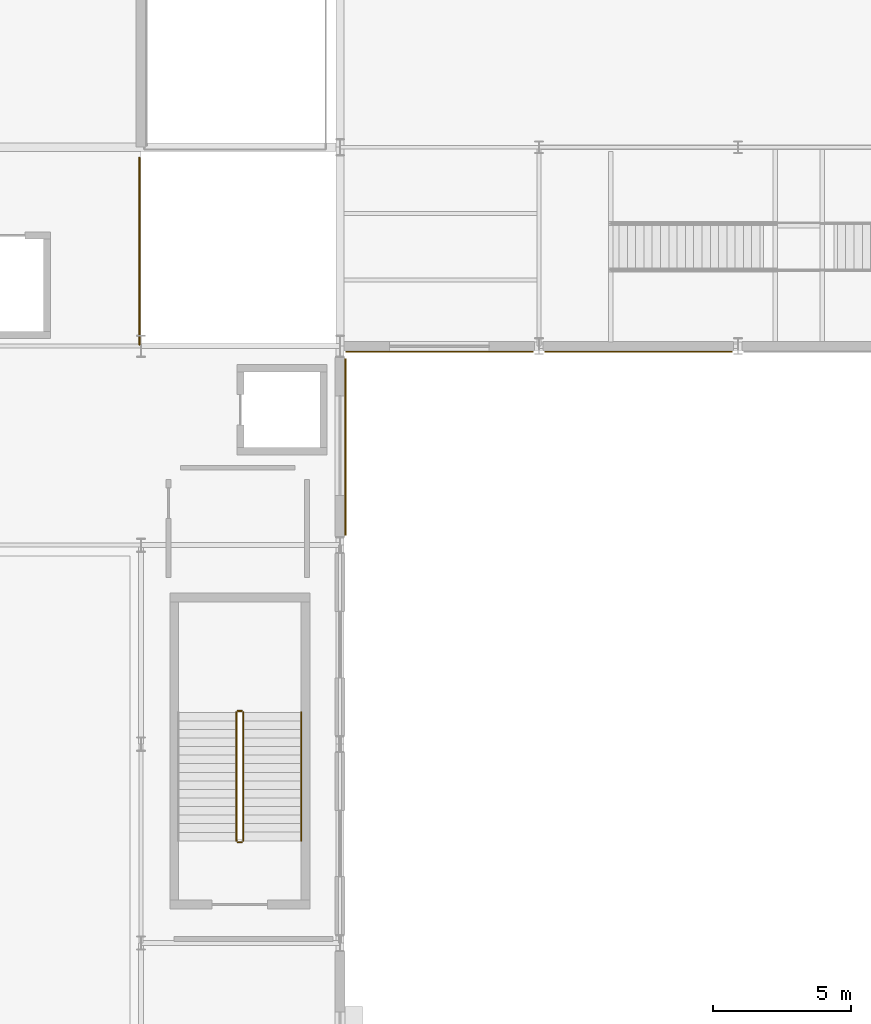
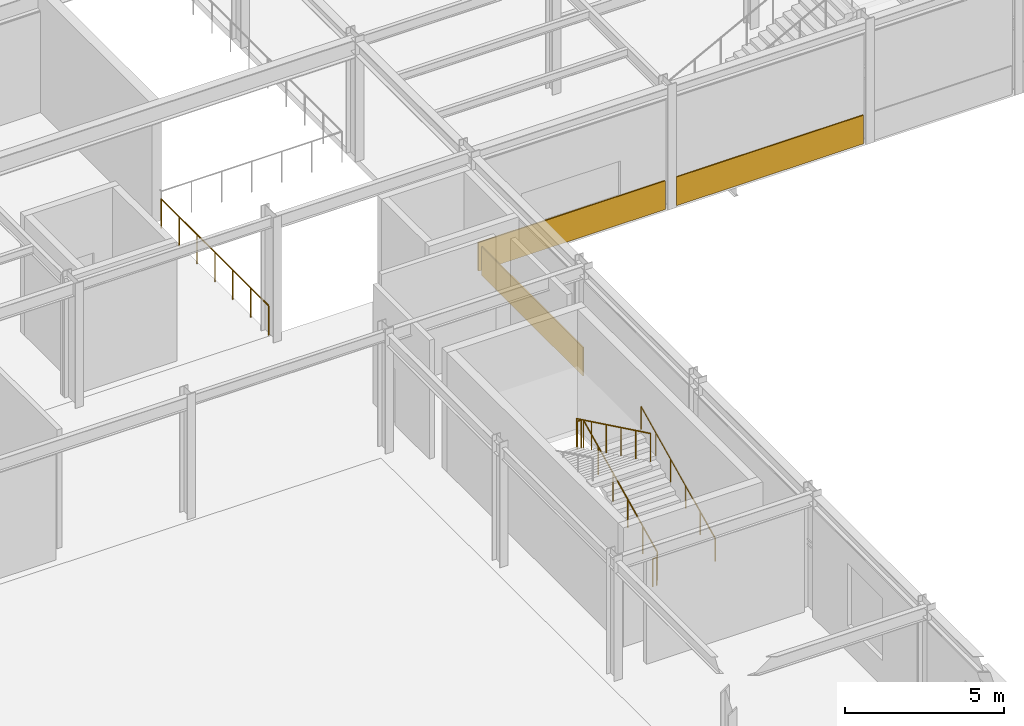
# One storey, part 79 of 83: 6 railings, 3 coverings.
"""IFC4 building model written with IfcOpenShell, lengths in metres."""

from ifc_helpers import new_model, si_unit, direction, frame, origin, origin_2d, place, context, subcontext, project, spatial, rectangle, circle, extrude, material, layer, layer_set, type_object, element, save


model = new_model("IFC4")

# Units and contexts
model_context = context("Model", 3, precision=1e-05, world=origin(), true_north=direction((0.0, 1.0)))
body_context = subcontext(model_context, "Body", "Model", "MODEL_VIEW")
ifc_project = project(units=[si_unit("LENGTHUNIT", "METRE"), si_unit("AREAUNIT", "SQUARE_METRE"), si_unit("VOLUMEUNIT", "CUBIC_METRE"), si_unit("PLANEANGLEUNIT", "RADIAN"), si_unit("MASSUNIT", "GRAM", prefix="KILO")], contexts=[model_context])

# Site, building, storey
site_placement = place(None, origin())
site = spatial("IfcSite", under=ifc_project, at=site_placement, CompositionType="ELEMENT")
building_placement = place(site_placement, origin())
building = spatial("IfcBuilding", under=site, at=building_placement, Name="Solvadek Multi-Sports Hall", CompositionType="ELEMENT")
storey_placement = place(building_placement, origin())
storey = spatial("IfcBuildingStorey", under=building, at=storey_placement, Name="L00", CompositionType="ELEMENT", Elevation=0.0)

# Coverings
ifc_material_1 = material(Name="Dressed honey-cream limestone ashlar", Category="masonry")
ifc_layer = layer(ifc_material_1, 0.044921875, Name="Dressed honey-cream limestone ashlar")
ifc_layer_set = layer_set([ifc_layer], Name="Dressed honey-cream limestone ashlar")
covering_type = type_object("IfcCoveringType", Name="ENV-COV-CLAD45", PredefinedType="CLADDING", material=ifc_layer_set)
covering_placement = place(storey_placement, frame((136.9970703125, 38.35009765625, 0.0), z_axis=(0.0, 0.0, 1.0), x_axis=(0.0, 1.0, 0.0)))
element("IfcCovering", 1, at=covering_placement, inside=storey, type_object=covering_type, Name="Deccan Granite Plinth Cladding #30", PredefinedType="CLADDING", context=body_context, shape_type="SweptSolid", body=[
    extrude(rectangle(XDim=6.39208984375, YDim=0.044921875, at=origin_2d()), origin(), (0.0, 0.0, 1.0), 1.10009765625),
])
for number, where, z_axis, x_axis, name in (
    (2, (140.39990234375, 41.802978515625, 0.0), (0.0, 0.0, 1.0), (1.0, 0.0, 0.0), "Deccan Granite Plinth Cladding #37"),
    (3, (147.60009765625, 41.802978515625, 0.0), (0.0, 0.0, 1.0), (1.0, 0.0, 0.0), "Deccan Granite Plinth Cladding #38"),
):
    element("IfcCovering", number, at=place(storey_placement, frame(where, z_axis=z_axis, x_axis=x_axis)), inside=storey, type_object=covering_type, Name=name, PredefinedType="CLADDING", context=body_context, shape_type="SweptSolid", body=[
        extrude(rectangle(XDim=6.7919921875, YDim=0.044921875, at=origin_2d()), origin(), (0.0, 0.0, 1.0), 1.10009765625),
    ])

# Railings
ifc_material_2 = material(Name="Steel E250 (250 MPa)", Category="steel")
railing_type_1 = type_object("IfcRailingType", Name="INT-RAL-GRD115", PredefinedType="BALUSTRADE", material=ifc_material_2)
railing_1_placement = place(storey_placement, frame((133.300048828125, 24.10009765625, 0.14990234375)))
element("IfcRailing", 4, at=railing_1_placement, inside=storey, type_object=railing_type_1, Name="L00 ST-05 stair guard 1", PredefinedType="BALUSTRADE", context=body_context, shape_type="SweptSolid", body=[
    extrude(circle(Radius=0.02392578125, at=origin_2d()), frame((0.0, 0.0, 1.076171875), z_axis=(0.0, 0.900155664878, 0.435568340204), x_axis=(-1.0, 0.0, 0.0)), (0.0, 0.0, 1.0), 5.165771484375),
    extrude(circle(Radius=0.02099609375, at=origin_2d()), origin(), (0.0, 0.0, 1.0), 1.052001953125),
    extrude(circle(Radius=0.02099609375, at=origin_2d()), frame((0.0, 0.929931640625, 0.449951171875)), (0.0, 0.0, 1.0), 1.052001953125),
    extrude(circle(Radius=0.02099609375, at=origin_2d()), frame((0.0, 1.85986328125, 0.89990234375)), (0.0, 0.0, 1.0), 1.052001953125),
    extrude(circle(Radius=0.02099609375, at=origin_2d()), frame((0.0, 2.7900390625, 1.35009765625)), (0.0, 0.0, 1.0), 1.052001953125),
    extrude(circle(Radius=0.02099609375, at=origin_2d()), frame((0.0, 3.719970703125, 1.800048828125)), (0.0, 0.0, 1.0), 1.052001953125),
    extrude(circle(Radius=0.02099609375, at=origin_2d()), frame((0.0, 4.64990234375, 2.25)), (0.0, 0.0, 1.0), 1.052001953125),
])
railing_2_placement = place(storey_placement, frame((133.25, 28.800048828125, 2.39990234375)))
element("IfcRailing", 5, at=railing_2_placement, inside=storey, type_object=railing_type_1, Name="L00 ST-05 stair guard 2", PredefinedType="BALUSTRADE", context=body_context, shape_type="SweptSolid", body=[
    extrude(circle(Radius=0.02392578125, at=origin_2d()), frame((0.0, 0.0, 1.076171875), z_axis=(-1.0, 0.0, 0.0), x_axis=(0.0, -1.0, 0.0)), (0.0, 0.0, 1.0), 0.14990234375),
    extrude(circle(Radius=0.02099609375, at=origin_2d()), origin(), (0.0, 0.0, 1.0), 1.052001953125),
    extrude(circle(Radius=0.02099609375, at=origin_2d()), frame((-0.14990234375, 0.0, 0.0)), (0.0, 0.0, 1.0), 1.052001953125),
])
railing_3_placement = place(storey_placement, frame((133.050048828125, 28.75, 2.550048828125)))
element("IfcRailing", 6, at=railing_3_placement, inside=storey, type_object=railing_type_1, Name="L00 ST-05 stair guard 3", PredefinedType="BALUSTRADE", context=body_context, shape_type="SweptSolid", body=[
    extrude(circle(Radius=0.02392578125, at=origin_2d()), frame((0.0, 0.0, 1.076171875), z_axis=(0.0, -0.900155664878, 0.435568340204), x_axis=(1.0, 0.0, 0.0)), (0.0, 0.0, 1.0), 5.165771484375),
    extrude(circle(Radius=0.02099609375, at=origin_2d()), origin(), (0.0, 0.0, 1.0), 1.052001953125),
    extrude(circle(Radius=0.02099609375, at=origin_2d()), frame((0.0, -0.929931640625, 0.449951171875)), (0.0, 0.0, 1.0), 1.052001953125),
    extrude(circle(Radius=0.02099609375, at=origin_2d()), frame((0.0, -1.85986328125, 0.89990234375)), (0.0, 0.0, 1.0), 1.052001953125),
    extrude(circle(Radius=0.02099609375, at=origin_2d()), frame((0.0, -2.7900390625, 1.35009765625)), (0.0, 0.0, 1.0), 1.052001953125),
    extrude(circle(Radius=0.02099609375, at=origin_2d()), frame((0.0, -3.719970703125, 1.800048828125)), (0.0, 0.0, 1.0), 1.052001953125),
    extrude(circle(Radius=0.02099609375, at=origin_2d()), frame((0.0, -4.64990234375, 2.25)), (0.0, 0.0, 1.0), 1.052001953125),
])
railing_4_placement = place(storey_placement, frame((133.25, 24.050048828125, 0.0)))
element("IfcRailing", 7, at=railing_4_placement, inside=storey, type_object=railing_type_1, Name="L00 ST-05 stair guard 4", PredefinedType="BALUSTRADE", context=body_context, shape_type="SweptSolid", body=[
    extrude(circle(Radius=0.02392578125, at=origin_2d()), frame((0.0, 0.0, 1.076171875), z_axis=(-1.0, 0.0, 0.0), x_axis=(0.0, -1.0, 0.0)), (0.0, 0.0, 1.0), 0.14990234375),
    extrude(circle(Radius=0.02099609375, at=origin_2d()), origin(), (0.0, 0.0, 1.0), 1.052001953125),
    extrude(circle(Radius=0.02099609375, at=origin_2d()), frame((-0.14990234375, 0.0, 0.0)), (0.0, 0.0, 1.0), 1.052001953125),
])
railing_5_placement = place(storey_placement, frame((129.5400390625, 42.06005859375, 0.0)))
element("IfcRailing", 8, at=railing_5_placement, inside=storey, type_object=railing_type_1, Name="L00 Void Edge Balustrade Guard #1", PredefinedType="BALUSTRADE", context=body_context, shape_type="SweptSolid", body=[
    extrude(circle(Radius=0.02392578125, at=origin_2d()), frame((0.0, 0.0, 1.1259765625), z_axis=(0.0, 1.0, 0.0), x_axis=(-1.0, 0.0, 0.0)), (0.0, 0.0, 1.0), 6.760009765625),
    extrude(circle(Radius=0.02099609375, at=origin_2d()), origin(), (0.0, 0.0, 1.0), 1.101806640625),
    extrude(circle(Radius=0.02099609375, at=origin_2d()), frame((0.0, 1.126708984375, 0.0)), (0.0, 0.0, 1.0), 1.101806640625),
    extrude(circle(Radius=0.02099609375, at=origin_2d()), frame((0.0, 2.25341796875, 0.0)), (0.0, 0.0, 1.0), 1.101806640625),
    extrude(circle(Radius=0.02099609375, at=origin_2d()), frame((0.0, 3.3798828125, 0.0)), (0.0, 0.0, 1.0), 1.101806640625),
    extrude(circle(Radius=0.02099609375, at=origin_2d()), frame((0.0, 4.506591796875, 0.0)), (0.0, 0.0, 1.0), 1.101806640625),
    extrude(circle(Radius=0.02099609375, at=origin_2d()), frame((0.0, 5.63330078125, 0.0)), (0.0, 0.0, 1.0), 1.101806640625),
    extrude(circle(Radius=0.02099609375, at=origin_2d()), frame((0.0, 6.760009765625, 0.0)), (0.0, 0.0, 1.0), 1.101806640625),
])
railing_type_2 = type_object("IfcRailingType", Name="INT-RAL-HND090", PredefinedType="HANDRAIL", material=ifc_material_2)
railing_6_placement = place(storey_placement, frame((135.39990234375, 24.10009765625, 0.14990234375)))
element("IfcRailing", 9, at=railing_6_placement, inside=storey, type_object=railing_type_2, Name="L00 ST-05 stair handrail 1", PredefinedType="HANDRAIL", context=body_context, shape_type="SweptSolid", body=[
    extrude(circle(Radius=0.02392578125, at=origin_2d()), frame((0.0, 0.0, 0.8759765625), z_axis=(0.0, 0.900155664878, 0.435568340204), x_axis=(-1.0, 0.0, 0.0)), (0.0, 0.0, 1.0), 5.165771484375),
    extrude(circle(Radius=0.02099609375, at=origin_2d()), origin(), (0.0, 0.0, 1.0), 0.851806640625),
    extrude(circle(Radius=0.02099609375, at=origin_2d()), frame((0.0, 0.929931640625, 0.449951171875)), (0.0, 0.0, 1.0), 0.851806640625),
    extrude(circle(Radius=0.02099609375, at=origin_2d()), frame((0.0, 1.85986328125, 0.89990234375)), (0.0, 0.0, 1.0), 0.851806640625),
    extrude(circle(Radius=0.02099609375, at=origin_2d()), frame((0.0, 2.7900390625, 1.35009765625)), (0.0, 0.0, 1.0), 0.851806640625),
    extrude(circle(Radius=0.02099609375, at=origin_2d()), frame((0.0, 3.719970703125, 1.800048828125)), (0.0, 0.0, 1.0), 0.851806640625),
    extrude(circle(Radius=0.02099609375, at=origin_2d()), frame((0.0, 4.64990234375, 2.25)), (0.0, 0.0, 1.0), 0.851806640625),
])

save(model, "model.ifc")
